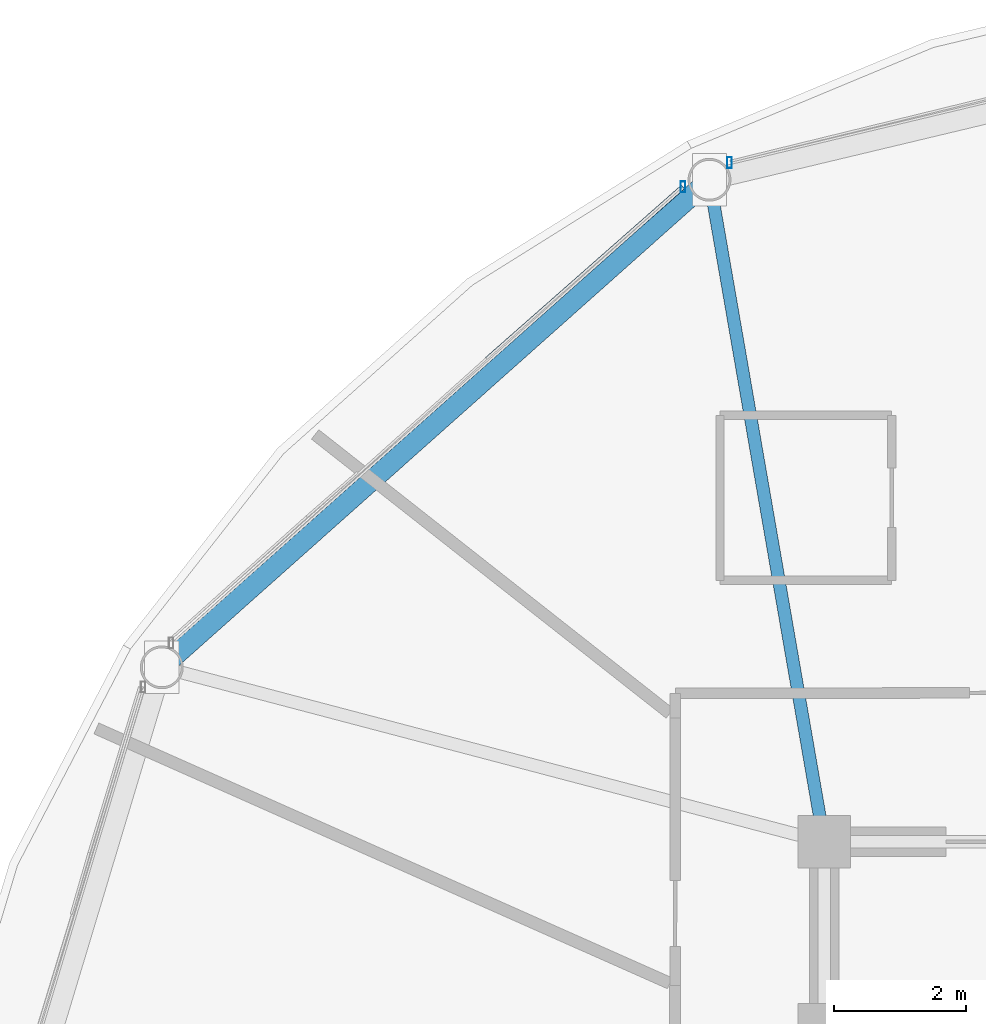
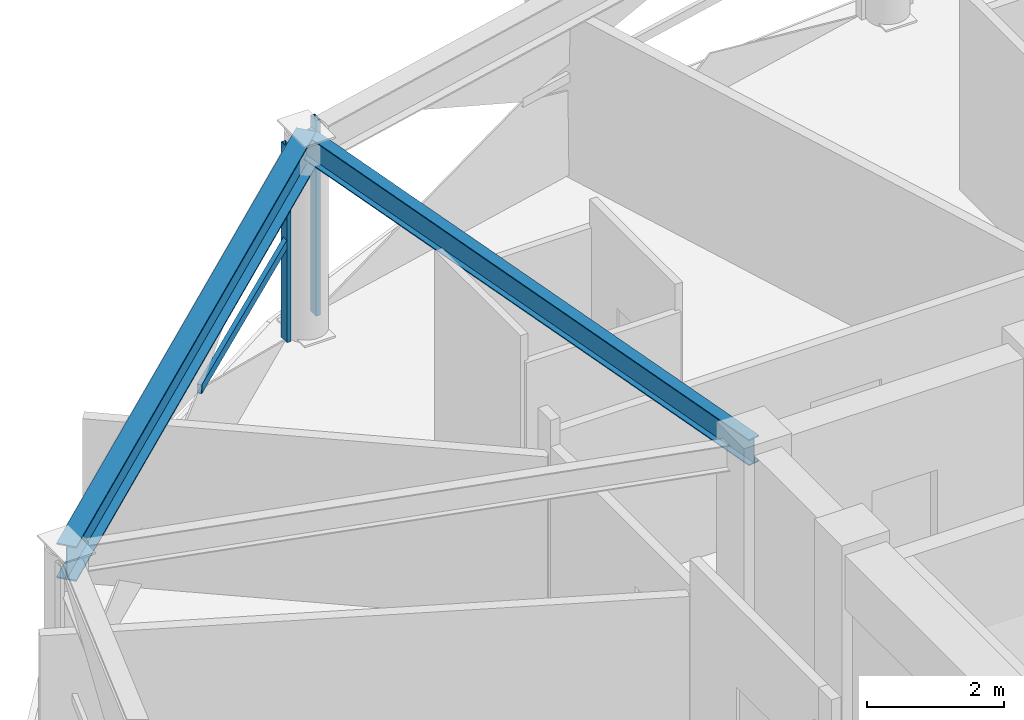
# One storey, part 17 of 30: 3 members, 2 beams, 2 elements without a shape of their own.
"""IFC4 building model written with IfcOpenShell, lengths in metres."""

from ifc_helpers import new_model, si_unit, direction, frame, origin, origin_2d, place, context, subcontext, project, spatial, hollow_rectangle, i_section, extrude, material, layer, layer_set, material_profile, profile_set, type_object, element, aggregate, save


model = new_model("IFC4")

# Units and contexts
model_context = context("Model", 3, precision=1e-05, world=origin(), true_north=direction((0.0, 1.0)))
body_context = subcontext(model_context, "Body", "Model", "MODEL_VIEW")
ifc_project = project(units=[si_unit("LENGTHUNIT", "METRE"), si_unit("AREAUNIT", "SQUARE_METRE"), si_unit("VOLUMEUNIT", "CUBIC_METRE"), si_unit("PLANEANGLEUNIT", "RADIAN"), si_unit("MASSUNIT", "GRAM", prefix="KILO")], contexts=[model_context])

# Site, building, storey
site_placement = place(None, origin())
site = spatial("IfcSite", under=ifc_project, at=site_placement, CompositionType="ELEMENT")
building_placement = place(site_placement, origin())
building = spatial("IfcBuilding", under=site, at=building_placement, Name="Vantalir Tower", CompositionType="ELEMENT")
storey_placement = place(building_placement, frame((0.0, 0.0, 186.14990234375)))
storey = spatial("IfcBuildingStorey", under=building, at=storey_placement, Name="L46", CompositionType="ELEMENT", Elevation=186.14990234375)

# Beams
ifc_material_1 = material(Name="Steel S355", Category="steel")
ifc_material_profile_1 = material_profile(ifc_material_1, i_section(OverallWidth=0.19189453125, OverallDepth=0.462890625, WebThickness=0.010498046875, FlangeThickness=0.017578125, at=origin_2d()), Name="Steel S355")
ifc_profile_set_1 = profile_set([ifc_material_profile_1], Name="Steel S355")
beam_type_1 = type_object("IfcBeamType", Name="BM-RB-457x191", PredefinedType="BEAM", material=ifc_profile_set_1)
beam_1_placement = place(storey_placement, frame((20.162109375, 42.48291015625, 3.338134765625), z_axis=(0.170667231152, -0.98532872495, 0.0), x_axis=(0.98532872495, 0.170667231152, 0.0)))
element("IfcBeam", 1, at=beam_1_placement, inside=storey, type_object=beam_type_1, Name="L46 Radial Floor Beam 05", PredefinedType="BEAM", context=body_context, shape_type="SweptSolid", body=[
    extrude(i_section(OverallWidth=0.19189453125, OverallDepth=0.462890625, WebThickness=0.010498046875, FlangeThickness=0.017578125, at=origin_2d()), origin(), (0.0, 0.0, 1.0), 10.182373046875),
])
ifc_material_2 = material(Name="Steel S460", Category="steel")
ifc_material_profile_2 = material_profile(ifc_material_2, i_section(OverallWidth=0.306884765625, OverallDepth=0.6201171875, WebThickness=0.01416015625, FlangeThickness=0.023681640625, at=origin_2d()), Name="Steel S460")
ifc_profile_set_2 = profile_set([ifc_material_profile_2], Name="Steel S460")
beam_type_2 = type_object("IfcBeamType", Name="BM-RG-610x305", PredefinedType="USERDEFINED", material=ifc_profile_set_2)
beam_2_placement = place(storey_placement, frame((20.162109375, 42.48291015625, 3.260009765625), z_axis=(-0.746913346666, -0.664921388265, 0.0), x_axis=(0.664921388265, -0.746913346666, 0.0)))
element("IfcBeam", 2, at=beam_2_placement, inside=storey, type_object=beam_type_2, Name="L46 Circumferential Ring Girder 05", ObjectType="GIRDER", PredefinedType="USERDEFINED", context=body_context, shape_type="SweptSolid", body=[
    extrude(i_section(OverallWidth=0.306884765625, OverallDepth=0.6201171875, WebThickness=0.01416015625, FlangeThickness=0.023681640625, at=origin_2d()), origin(), (0.0, 0.0, 1.0), 11.112548828125),
])

# Curtain wall, member
ifc_material_3 = material(Name="Champagne-silver PVDF aluminium and double-silver Low-E glass", Category="aluminium")
ifc_layer = layer(ifc_material_3, 0.2099609375)
ifc_layer_set = layer_set([ifc_layer], Name="Champagne-silver PVDF aluminium and double-silver Low-E glass")
curtain_wall_type = type_object("IfcCurtainWallType", Name="CW-DIAMOND-Z3", PredefinedType="USERDEFINED", material=ifc_layer_set)
curtain_wall_1_placement = place(storey_placement, origin())
curtain_wall_1 = element("IfcCurtainWall", 3, at=curtain_wall_1_placement, inside=storey, type_object=curtain_wall_type, Name="L46 Quilted Pyramid-Diamond Curtain Wall S04", ObjectType="UNITISED CURTAIN WALL", PredefinedType="USERDEFINED")
ifc_material_4 = material(Name="Champagne-silver PVDF aluminium 6063-T6", Category="aluminium")
ifc_material_profile_3 = material_profile(ifc_material_4, hollow_rectangle(XDim=0.070068359375, YDim=0.1650390625, WallThickness=0.00390625, at=origin_2d()), Name="Champagne-silver PVDF aluminium 6063-T6")
ifc_profile_set_3 = profile_set([ifc_material_profile_3], Name="Champagne-silver PVDF aluminium 6063-T6")
member_type_1 = type_object("IfcMemberType", Name="CWM-165x70", PredefinedType="MULLION", material=ifc_profile_set_3)
member_1_placement = place(storey_placement, frame((20.466064453125, 42.742919921875, 0.045166015625), z_axis=(0.0, 0.0, 1.0), x_axis=(1.0, 0.0, 0.0)))
member_1 = element("IfcMember", 4, at=member_1_placement, type_object=member_type_1, Name="CW-L46-S04 Mullion 2", PredefinedType="MULLION", context=body_context, shape_type="SweptSolid", body=[
    extrude(hollow_rectangle(XDim=0.070068359375, YDim=0.1650390625, WallThickness=0.00390625, at=origin_2d()), origin(), (0.0, 0.0, 1.0), 3.47998046875),
])
aggregate(curtain_wall_1, [member_1])

# Curtain wall, members
curtain_wall_2_placement = place(storey_placement, origin())
curtain_wall_2 = element("IfcCurtainWall", 5, at=curtain_wall_2_placement, inside=storey, type_object=curtain_wall_type, Name="L46 Quilted Pyramid-Diamond Curtain Wall S05", ObjectType="UNITISED CURTAIN WALL", PredefinedType="USERDEFINED")
member_2_placement = place(storey_placement, frame((19.760986328125, 42.375, 0.045166015625), z_axis=(0.0, 0.0, 1.0), x_axis=(1.0, 0.0, 0.0)))
member_2 = element("IfcMember", 6, at=member_2_placement, type_object=member_type_1, Name="CW-L46-S05 Mullion 1", PredefinedType="MULLION", context=body_context, shape_type="SweptSolid", body=[
    extrude(hollow_rectangle(XDim=0.070068359375, YDim=0.1650390625, WallThickness=0.00390625, at=origin_2d()), origin(), (0.0, 0.0, 1.0), 3.47998046875),
])
ifc_material_profile_4 = material_profile(ifc_material_4, hollow_rectangle(XDim=0.074951171875, YDim=0.159912109375, WallThickness=0.00390625, at=origin_2d()), Name="Champagne-silver PVDF aluminium 6063-T6")
ifc_profile_set_4 = profile_set([ifc_material_profile_4], Name="Champagne-silver PVDF aluminium 6063-T6")
member_type_2 = type_object("IfcMemberType", Name="CWT-160x75", PredefinedType="USERDEFINED", material=ifc_profile_set_4)
member_3_placement = place(storey_placement, frame((19.760986328125, 42.375, 1.78515625), z_axis=(-0.750609293483, -0.660746311785, 0.0), x_axis=(0.660746311785, -0.750609293483, 0.0)))
member_3 = element("IfcMember", 7, at=member_3_placement, type_object=member_type_2, Name="CW-L46-S05 Pyramid Fold Ridge Transom", ObjectType="TRANSOM", PredefinedType="USERDEFINED", context=body_context, shape_type="SweptSolid", body=[
    extrude(hollow_rectangle(XDim=0.074951171875, YDim=0.159912109375, WallThickness=0.00390625, at=origin_2d()), origin(), (0.0, 0.0, 1.0), 3.9501953125),
])
aggregate(curtain_wall_2, [member_2, member_3])

save(model, "model.ifc")
